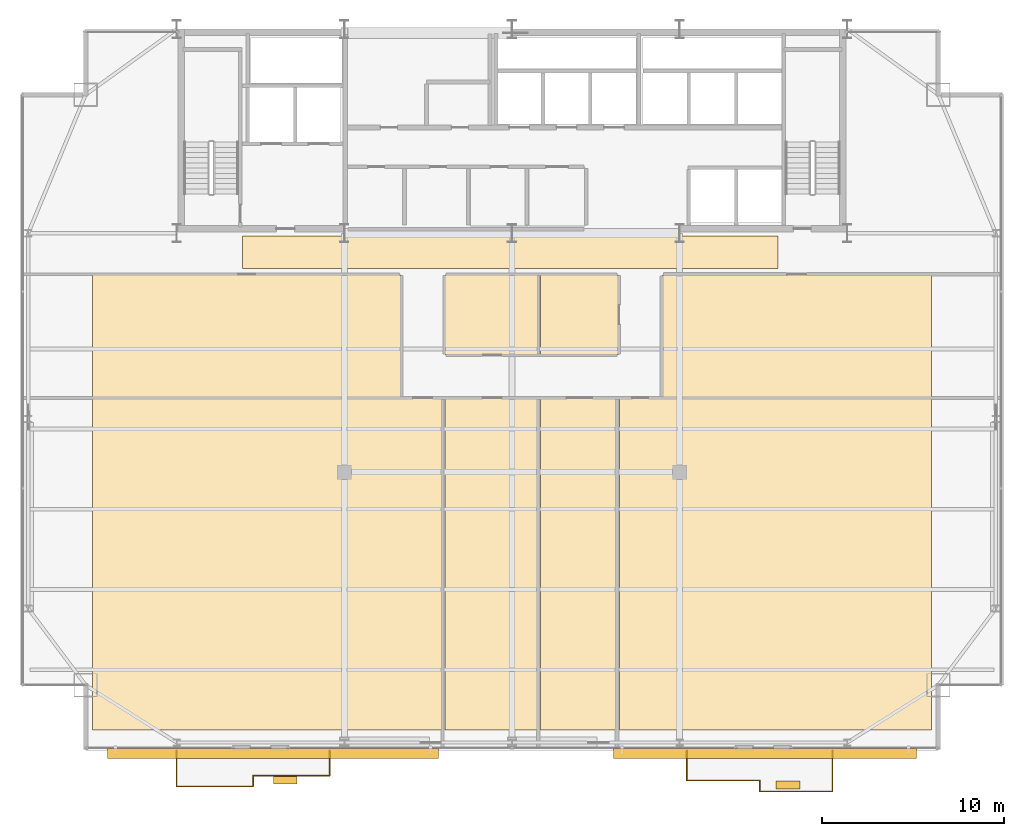
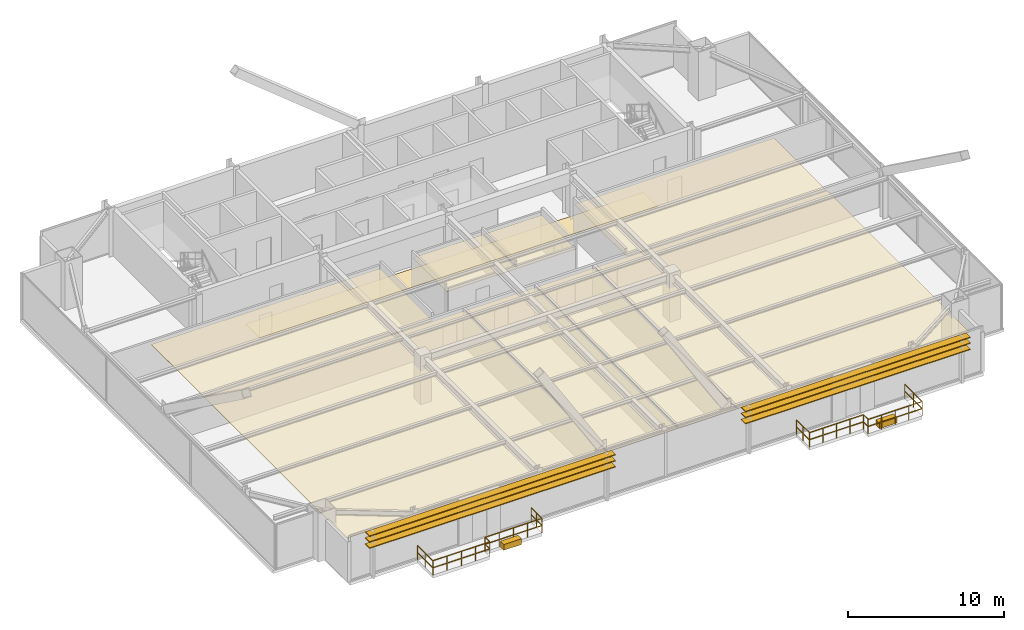
# One storey, part 31 of 32: 11 coverings, 10 railings, 6 shading devices.
"""IFC4 building model written with IfcOpenShell, lengths in metres."""

import ifcopenshell
import ifcopenshell.guid

model = None  # the IFC model being written
_history = None  # IfcOwnerHistory: only IFC2X3 demands one
_inside = {}  # id of a spatial element -> (the spatial element, [elements in it])
_under = {}  # id of a project, library or spatial element -> (it, [spatial elements below it])
_declared = {}  # id of a project -> (the project, [libraries it declares])
_typed = {}  # id of a type object -> (the type object, [elements of that type])
_made_of = {}  # id of a material, layer set ... -> (it, [elements and type objects made of it])


def new_model(schema):
    """Start an empty IFC model of exactly this schema.

    Asked for "IFC4X3", IfcOpenShell would pick the latest addendum, in which some entities
    have other attributes; the version numbers below select the first issue.
    IFC2X3 requires an IfcOwnerHistory on every rooted entity: one is made here for all.
    """
    global model, _history
    if schema == "IFC4X3":
        model = ifcopenshell.file(schema_version=(4, 3, 0, 0))
    else:
        model = ifcopenshell.file(schema=schema)
    _inside.clear()
    _under.clear()
    _declared.clear()
    _typed.clear()
    _made_of.clear()
    _history = None
    if model.schema == "IFC2X3":
        org = make("IfcOrganization", Name="unknown")
        user = make(
            "IfcPersonAndOrganization",
            ThePerson=make("IfcPerson", FamilyName="unknown"),
            TheOrganization=org,
        )
        app = make(
            "IfcApplication",
            ApplicationDeveloper=org,
            Version="unknown",
            ApplicationFullName="unknown",
            ApplicationIdentifier="unknown",
        )
        _history = make(
            "IfcOwnerHistory",
            OwningUser=user,
            OwningApplication=app,
            ChangeAction="ADDED",
            CreationDate=0,
        )
    return model


def make(cls, **values):
    """One entity of the class cls with the attributes given. An attribute that is None is left unset."""
    return model.create_entity(
        cls, **{name: value for name, value in values.items() if value is not None}
    )


def rooted(cls, **values):
    """An entity with a GlobalId (a new one), such as an element, a storey or a relation."""
    return make(cls, GlobalId=ifcopenshell.guid.new(), OwnerHistory=_history, **values)


def si_unit(unit_type, name, prefix=None):
    """IfcSIUnit, for example si_unit("LENGTHUNIT", "METRE", prefix="MILLI")."""
    return make("IfcSIUnit", UnitType=unit_type, Prefix=prefix, Name=name)


def assignment(units):
    """IfcUnitAssignment: the units of a project."""
    return None if units is None else make("IfcUnitAssignment", Units=units)


def point(xyz):
    """IfcCartesianPoint."""
    return None if xyz is None else make("IfcCartesianPoint", Coordinates=xyz)


def direction(xyz):
    """IfcDirection."""
    return None if xyz is None else make("IfcDirection", DirectionRatios=xyz)


def frame(location, z_axis=None, x_axis=None):
    """IfcAxis2Placement3D, a coordinate frame: its origin and axes. An axis left out is left unset."""
    return make(
        "IfcAxis2Placement3D",
        Location=point(location),
        Axis=direction(z_axis),
        RefDirection=direction(x_axis),
    )


def frame_2d(location, x_axis=None):
    """IfcAxis2Placement2D, a coordinate frame in the plane: its origin and x axis."""
    return make(
        "IfcAxis2Placement2D", Location=point(location), RefDirection=direction(x_axis)
    )


def origin():
    """The frame at (0, 0, 0) with its axes left unset."""
    return frame((0.0, 0.0, 0.0))


def origin_2d():
    """The frame at (0, 0) in the plane with its x axis left unset."""
    return frame_2d((0.0, 0.0))


def place(relative_to, where):
    """IfcLocalPlacement: puts the frame where relative to a parent placement (None: the world)."""
    return make(
        "IfcLocalPlacement", PlacementRelTo=relative_to, RelativePlacement=where
    )


def context(
    kind, dimensions, precision=None, world=None, true_north=None, identifier=None
):
    """IfcGeometricRepresentationContext, for example the 3D "Model" context."""
    return make(
        "IfcGeometricRepresentationContext",
        ContextIdentifier=identifier,
        ContextType=kind,
        CoordinateSpaceDimension=dimensions,
        Precision=precision,
        WorldCoordinateSystem=world,
        TrueNorth=true_north,
    )


def subcontext(parent, identifier, kind, view, scale=None):
    """IfcGeometricRepresentationSubContext, for example "Body" below "Model"."""
    return make(
        "IfcGeometricRepresentationSubContext",
        ContextIdentifier=identifier,
        ContextType=kind,
        ParentContext=parent,
        TargetScale=scale,
        TargetView=view,
    )


def project(units=None, contexts=None):
    """IfcProject with its units and contexts."""
    return rooted(
        "IfcProject",
        Name="project",
        RepresentationContexts=contexts,
        UnitsInContext=assignment(units),
    )


def spatial(cls, under=None, at=None, **own):
    """A site, building, storey or space (cls), placed at a placement, below another one or the project."""
    s = rooted(cls, ObjectPlacement=at, **own)
    if under is not None:
        _under.setdefault(under.id(), (under, []))[1].append(s)
    return s


def polyline(points):
    """IfcPolyline through the points."""
    return make("IfcPolyline", Points=[point(p) for p in points])


def profile(cls, at=None, kind="AREA", **sizes):
    """A parametric profile (cls). Its sizes go by their IFC names, for example OverallWidth=200.0."""
    return make(cls, ProfileType=kind, Position=at, **sizes)


def rectangle(**sizes):
    """IfcRectangleProfileDef."""
    return profile("IfcRectangleProfileDef", **sizes)


def outline(outer, holes=None, kind="AREA"):
    """IfcArbitraryClosedProfileDef: a profile drawn as a closed curve; with holes, ...WithVoids."""
    if holes is None:
        return make("IfcArbitraryClosedProfileDef", ProfileType=kind, OuterCurve=outer)
    return make(
        "IfcArbitraryProfileDefWithVoids",
        ProfileType=kind,
        OuterCurve=outer,
        InnerCurves=holes,
    )


def extrude(swept, where, along, depth):
    """IfcExtrudedAreaSolid: the profile swept, set in the frame where, extruded along a direction by depth."""
    return make(
        "IfcExtrudedAreaSolid",
        SweptArea=swept,
        Position=where,
        ExtrudedDirection=direction(along),
        Depth=depth,
    )


def shape(context_of_items, identifier, shape_type, items):
    """IfcShapeRepresentation: the items that make up one representation, for example the "Body"."""
    return make(
        "IfcShapeRepresentation",
        ContextOfItems=context_of_items,
        RepresentationIdentifier=identifier,
        RepresentationType=shape_type,
        Items=items,
    )


def source(mapping_origin, context_of_items, identifier, shape_type, items):
    """IfcRepresentationMap: a shape defined once, which mapped items show again and again."""
    return make(
        "IfcRepresentationMap",
        MappingOrigin=mapping_origin,
        MappedRepresentation=shape(context_of_items, identifier, shape_type, items),
    )


def transform(
    local_origin,
    x_axis=None,
    y_axis=None,
    z_axis=None,
    scale=None,
    scale2=None,
    scale3=None,
    uniform=True,
):
    """IfcCartesianTransformationOperator3D, or its non-uniform kind. x_axis, y_axis, z_axis: its Axis1, 2, 3."""
    if uniform:
        return make(
            "IfcCartesianTransformationOperator3D",
            Axis1=direction(x_axis),
            Axis2=direction(y_axis),
            LocalOrigin=point(local_origin),
            Scale=scale,
            Axis3=direction(z_axis),
        )
    return make(
        "IfcCartesianTransformationOperator3DnonUniform",
        Axis1=direction(x_axis),
        Axis2=direction(y_axis),
        LocalOrigin=point(local_origin),
        Scale=scale,
        Axis3=direction(z_axis),
        Scale2=scale2,
        Scale3=scale3,
    )


def mapped(mapping_source, mapping_target):
    """IfcMappedItem: shows the shape of a source again, moved by a transform."""
    return make(
        "IfcMappedItem", MappingSource=mapping_source, MappingTarget=mapping_target
    )


def material(Name=None, Category=None):
    """IfcMaterial."""
    return make("IfcMaterial", Name=Name, Category=Category)


def layer(
    of_material, thickness, ventilated=None, Name=None, Category=None, Priority=None
):
    """IfcMaterialLayer: one layer of a wall or slab, of a material (None: an air gap)."""
    return make(
        "IfcMaterialLayer",
        Material=of_material,
        LayerThickness=thickness,
        IsVentilated=ventilated,
        Name=Name,
        Category=Category,
        Priority=Priority,
    )


def layer_set(layers, Name=None):
    """IfcMaterialLayerSet."""
    return make("IfcMaterialLayerSet", MaterialLayers=layers, LayerSetName=Name)


def made_of(thing, what):
    """Note that an element or type object is made of a material, layer set ...; save() writes the relation."""
    if what is not None:
        _made_of.setdefault(what.id(), (what, []))[1].append(thing)
    return thing


def type_object(cls, material=None, **own):
    """A type object (cls), such as IfcWallType, which elements share."""
    return made_of(rooted(cls, **own), material)


def type_shapes(of_type, sources):
    """Give a type object the sources (RepresentationMaps) that its elements show as mapped items."""
    of_type.RepresentationMaps = sources


def element(
    cls,
    number,
    at=None,
    inside=None,
    cuts=None,
    type_object=None,
    material=None,
    context=None,
    identifier="Body",
    shape_type=None,
    held_by="IfcProductDefinitionShape",
    body=None,
    shapes=None,
    **own,
):
    """One element of the class cls, such as IfcWall. Its Tag is "e" and its number.

    at: its placement. inside: the storey or other place that contains it. cuts: it is an
    opening in that element (IfcRelVoidsElement). A single representation is given by context,
    identifier, shape_type and body (its items); several are given by shapes. held_by: the class
    of the entity that holds the representations. save() writes the other relations.
    """
    e = rooted(cls, Tag="e%d" % number, ObjectPlacement=at, **own)
    if body is not None:
        shapes = [shape(context, identifier, shape_type, body)]
    if shapes is not None:
        e.Representation = make(held_by, Representations=shapes)
    if inside is not None:
        _inside.setdefault(inside.id(), (inside, []))[1].append(e)
    if cuts is not None:
        rooted(
            "IfcRelVoidsElement", RelatingBuildingElement=cuts, RelatedOpeningElement=e
        )
    if type_object is not None:
        _typed.setdefault(type_object.id(), (type_object, []))[1].append(e)
    return made_of(e, material)


def aggregate(whole, parts):
    """IfcRelAggregates: a whole, such as a stair, and the parts it consists of."""
    return rooted("IfcRelAggregates", RelatingObject=whole, RelatedObjects=parts)


def save(model, path):
    """Write the relations noted so far, then the file.

    IfcRelAggregates (storeys below a building ...), IfcRelContainedInSpatialStructure (elements
    in a storey), IfcRelDefinesByType, IfcRelAssociatesMaterial and IfcRelDeclares: one each for
    every whole, place, type object, material and project.
    """
    for whole, parts in _under.values():
        aggregate(whole, parts)
    for where, things in _inside.values():
        rooted(
            "IfcRelContainedInSpatialStructure",
            RelatedElements=things,
            RelatingStructure=where,
        )
    for kind, things in _typed.values():
        rooted("IfcRelDefinesByType", RelatedObjects=things, RelatingType=kind)
    for what, things in _made_of.values():
        rooted("IfcRelAssociatesMaterial", RelatedObjects=things, RelatingMaterial=what)
    for by, libraries in _declared.values():
        rooted("IfcRelDeclares", RelatingContext=by, RelatedDefinitions=libraries)
    model.write(path)


model = new_model("IFC4")

# Units and contexts
model_context = context("Model", 3, precision=1e-05, world=origin(), true_north=direction((0.0, 1.0)))
body_context = subcontext(model_context, "Body", "Model", "MODEL_VIEW")
ifc_project = project(units=[si_unit("LENGTHUNIT", "METRE"), si_unit("AREAUNIT", "SQUARE_METRE"), si_unit("VOLUMEUNIT", "CUBIC_METRE"), si_unit("PLANEANGLEUNIT", "RADIAN"), si_unit("MASSUNIT", "GRAM", prefix="KILO")], contexts=[model_context])

# Site, building, storey
site_placement = place(None, origin())
site = spatial("IfcSite", under=ifc_project, at=site_placement, CompositionType="ELEMENT")
building_placement = place(site_placement, origin())
building = spatial("IfcBuilding", under=site, at=building_placement, Name="Varnel Quay Broadcast Tower", CompositionType="ELEMENT")
storey_placement = place(building_placement, frame((0.0, 0.0, 164.800048828125)))
storey = spatial("IfcBuildingStorey", under=building, at=storey_placement, Name="L40", CompositionType="ELEMENT", Elevation=164.800048828125)

# Coverings
ifc_material_1 = material(Name="Micro-Perforated Acoustic Ceiling Tile")
ifc_layer_1 = layer(ifc_material_1, 0.0400390625, Name="Micro-Perforated Acoustic Ceiling Tile")
ifc_layer_set_1 = layer_set([ifc_layer_1], Name="Micro-Perforated Acoustic Ceiling Tile")
covering_type_1 = type_object("IfcCoveringType", Name="Cov_AcousticCeiling", PredefinedType="CEILING", material=ifc_layer_set_1)
covering_1_placement = place(storey_placement, frame((0.0, 0.0, 2.579833984375)))
element("IfcCovering", 1, at=covering_1_placement, inside=storey, type_object=covering_type_1, Name="L40 Press Briefing Room 1 Acoustic Ceiling", PredefinedType="CEILING", context=body_context, shape_type="SweptSolid", body=[
    extrude(outline(polyline([(10.985107421875, 8.324951171875), (30.2451171875, 8.324951171875), (30.2451171875, 26.52490234375), (10.985107421875, 26.52490234375), (10.985107421875, 8.324951171875)])), origin(), (0.0, 0.0, 1.0), 0.0400390625),
])
covering_2_placement = place(storey_placement, frame((0.0, 0.0, 2.579833984375)))
element("IfcCovering", 2, at=covering_2_placement, inside=storey, type_object=covering_type_1, Name="L40 Editorial Huddle Room 2 Acoustic Ceiling", PredefinedType="CEILING", context=body_context, shape_type="SweptSolid", body=[
    extrude(outline(polyline([(30.31494140625, 8.324951171875), (35.5048828125, 8.324951171875), (35.5048828125, 26.52490234375), (30.31494140625, 26.52490234375), (30.31494140625, 8.324951171875)])), origin(), (0.0, 0.0, 1.0), 0.0400390625),
])
covering_3_placement = place(storey_placement, frame((0.0, 0.0, 2.579833984375)))
element("IfcCovering", 3, at=covering_3_placement, inside=storey, type_object=covering_type_1, Name="L40 Journalism Training Studio 3 Acoustic Ceiling", PredefinedType="CEILING", context=body_context, shape_type="SweptSolid", body=[
    extrude(outline(polyline([(35.574951171875, 8.324951171875), (39.8349609375, 8.324951171875), (39.8349609375, 26.52490234375), (35.574951171875, 26.52490234375), (35.574951171875, 8.324951171875)])), origin(), (0.0, 0.0, 1.0), 0.0400390625),
])
covering_4_placement = place(storey_placement, frame((0.0, 0.0, 2.579833984375)))
element("IfcCovering", 4, at=covering_4_placement, inside=storey, type_object=covering_type_1, Name="L40 Catering Kitchen 4 Acoustic Ceiling", PredefinedType="CEILING", context=body_context, shape_type="SweptSolid", body=[
    extrude(outline(polyline([(39.905029296875, 8.324951171875), (57.014892578125, 8.324951171875), (57.014892578125, 26.52490234375), (39.905029296875, 26.52490234375), (39.905029296875, 8.324951171875)])), origin(), (0.0, 0.0, 1.0), 0.0400390625),
])
covering_5_placement = place(storey_placement, frame((0.0, 0.0, 2.579833984375)))
element("IfcCovering", 5, at=covering_5_placement, inside=storey, type_object=covering_type_1, Name="L40 Bureau Office 5 Acoustic Ceiling", PredefinedType="CEILING", context=body_context, shape_type="SweptSolid", body=[
    extrude(outline(polyline([(10.985107421875, 26.594970703125), (27.89501953125, 26.594970703125), (27.89501953125, 33.31494140625), (10.985107421875, 33.31494140625), (10.985107421875, 26.594970703125)])), origin(), (0.0, 0.0, 1.0), 0.0400390625),
])
covering_6_placement = place(storey_placement, frame((0.0, 0.0, 2.579833984375)))
element("IfcCovering", 6, at=covering_6_placement, inside=storey, type_object=covering_type_1, Name="L40 Reading Lounge 6 Acoustic Ceiling", PredefinedType="CEILING", context=body_context, shape_type="SweptSolid", body=[
    extrude(outline(polyline([(30.31494140625, 28.945068359375), (35.5048828125, 28.945068359375), (35.5048828125, 33.31494140625), (30.31494140625, 33.31494140625), (30.31494140625, 28.945068359375)])), origin(), (0.0, 0.0, 1.0), 0.0400390625),
])
covering_7_placement = place(storey_placement, frame((0.0, 0.0, 2.579833984375)))
element("IfcCovering", 7, at=covering_7_placement, inside=storey, type_object=covering_type_1, Name="L40 Broadcast Seminar Room 7 Acoustic Ceiling", PredefinedType="CEILING", context=body_context, shape_type="SweptSolid", body=[
    extrude(outline(polyline([(35.574951171875, 28.945068359375), (39.8349609375, 28.945068359375), (39.8349609375, 33.31494140625), (35.574951171875, 33.31494140625), (35.574951171875, 28.945068359375)])), origin(), (0.0, 0.0, 1.0), 0.0400390625),
])
covering_8_placement = place(storey_placement, frame((0.0, 0.0, 2.579833984375)))
element("IfcCovering", 8, at=covering_8_placement, inside=storey, type_object=covering_type_1, Name="L40 Press Briefing Room 8 Acoustic Ceiling", PredefinedType="CEILING", context=body_context, shape_type="SweptSolid", body=[
    extrude(outline(polyline([(42.2548828125, 26.594970703125), (57.014892578125, 26.594970703125), (57.014892578125, 33.31494140625), (42.2548828125, 33.31494140625), (42.2548828125, 26.594970703125)])), origin(), (0.0, 0.0, 1.0), 0.0400390625),
])
ifc_material_2 = material(Name="Polished Terrazzo & Broadcast Raised Flooring")
ifc_layer_2 = layer(ifc_material_2, 0.0400390625, Name="Polished Terrazzo & Broadcast Raised Flooring")
ifc_layer_set_2 = layer_set([ifc_layer_2], Name="Polished Terrazzo & Broadcast Raised Flooring")
covering_type_2 = type_object("IfcCoveringType", Name="Cov_TerrazzoFloor", PredefinedType="FLOORING", material=ifc_layer_set_2)
covering_9_placement = place(storey_placement, origin())
element("IfcCovering", 9, at=covering_9_placement, inside=storey, type_object=covering_type_2, Name="L40 Corridor Terrazzo Flooring", PredefinedType="FLOORING", context=body_context, shape_type="SweptSolid", body=[
    extrude(outline(polyline([(19.199951171875, 33.64990234375), (48.60009765625, 33.64990234375), (48.60009765625, 35.449951171875), (19.199951171875, 35.449951171875), (19.199951171875, 33.64990234375)])), origin(), (0.0, 0.0, 1.0), 0.0400390625),
])

# Railings
ifc_material_3 = material(Name="Anodised Bronze Aluminium 6063-T6", Category="aluminium")
railing_type = type_object("IfcRailingType", Name="Rail_Balustrade1150", PredefinedType="BALUSTRADE", material=ifc_material_3)
railing_1_placement = place(storey_placement, frame((15.590087890625, 5.236083984375, 0.0)))
element("IfcRailing", 10, at=railing_1_placement, inside=storey, type_object=railing_type, Name="L40 Terrace 1 Guard 1", PredefinedType="BALUSTRADE", context=body_context, shape_type="SweptSolid", body=[
    extrude(rectangle(XDim=0.048095703125, YDim=0.048095703125, at=origin_2d()), frame((0.0, 0.0, 1.1259765625), z_axis=(1.0, 0.0, 0.0), x_axis=(0.0, 1.0, 0.0)), (0.0, 0.0, 1.0), 4.199951171875),
    extrude(rectangle(XDim=0.048095703125, YDim=0.048095703125, at=origin_2d()), frame((0.0, 0.0, 0.574951171875), z_axis=(1.0, 0.0, 0.0), x_axis=(0.0, 1.0, 0.0)), (0.0, 0.0, 1.0), 4.199951171875),
    extrude(rectangle(XDim=0.0419921875, YDim=0.0419921875, at=origin_2d()), origin(), (0.0, 0.0, 1.0), 1.101806640625),
    extrude(rectangle(XDim=0.0419921875, YDim=0.0419921875, at=origin_2d()), frame((1.050048828125, 0.0, 0.0)), (0.0, 0.0, 1.0), 1.101806640625),
    extrude(rectangle(XDim=0.0419921875, YDim=0.0419921875, at=origin_2d()), frame((2.10009765625, 0.0, 0.0)), (0.0, 0.0, 1.0), 1.101806640625),
    extrude(rectangle(XDim=0.0419921875, YDim=0.0419921875, at=origin_2d()), frame((3.14990234375, 0.0, 0.0)), (0.0, 0.0, 1.0), 1.101806640625),
    extrude(rectangle(XDim=0.0419921875, YDim=0.0419921875, at=origin_2d()), frame((4.199951171875, 0.0, 0.0)), (0.0, 0.0, 1.0), 1.101806640625),
])
railing_2_placement = place(storey_placement, frame((19.7900390625, 5.236083984375, 0.0)))
element("IfcRailing", 11, at=railing_2_placement, inside=storey, type_object=railing_type, Name="L40 Terrace 1 Guard 2", PredefinedType="BALUSTRADE", context=body_context, shape_type="SweptSolid", body=[
    extrude(rectangle(XDim=0.048095703125, YDim=0.048095703125, at=origin_2d()), frame((0.0, 0.0, 1.1259765625), z_axis=(0.0, 1.0, 0.0), x_axis=(-1.0, 0.0, 0.0)), (0.0, 0.0, 1.0), 0.599853515625),
    extrude(rectangle(XDim=0.048095703125, YDim=0.048095703125, at=origin_2d()), frame((0.0, 0.0, 0.574951171875), z_axis=(0.0, 1.0, 0.0), x_axis=(-1.0, 0.0, 0.0)), (0.0, 0.0, 1.0), 0.599853515625),
    extrude(rectangle(XDim=0.0419921875, YDim=0.0419921875, at=origin_2d()), origin(), (0.0, 0.0, 1.0), 1.101806640625),
    extrude(rectangle(XDim=0.0419921875, YDim=0.0419921875, at=origin_2d()), frame((0.0, 0.599853515625, 0.0)), (0.0, 0.0, 1.0), 1.101806640625),
])
railing_3_placement = place(storey_placement, frame((19.7900390625, 5.8359375, 0.0)))
element("IfcRailing", 12, at=railing_3_placement, inside=storey, type_object=railing_type, Name="L40 Terrace 1 Guard 3", PredefinedType="BALUSTRADE", context=body_context, shape_type="SweptSolid", body=[
    extrude(rectangle(XDim=0.048095703125, YDim=0.048095703125, at=origin_2d()), frame((0.0, 0.0, 1.1259765625), z_axis=(1.0, 0.0, 0.0), x_axis=(0.0, 1.0, 0.0)), (0.0, 0.0, 1.0), 4.199951171875),
    extrude(rectangle(XDim=0.048095703125, YDim=0.048095703125, at=origin_2d()), frame((0.0, 0.0, 0.574951171875), z_axis=(1.0, 0.0, 0.0), x_axis=(0.0, 1.0, 0.0)), (0.0, 0.0, 1.0), 4.199951171875),
    extrude(rectangle(XDim=0.0419921875, YDim=0.0419921875, at=origin_2d()), origin(), (0.0, 0.0, 1.0), 1.101806640625),
    extrude(rectangle(XDim=0.0419921875, YDim=0.0419921875, at=origin_2d()), frame((1.050048828125, 0.0, 0.0)), (0.0, 0.0, 1.0), 1.101806640625),
    extrude(rectangle(XDim=0.0419921875, YDim=0.0419921875, at=origin_2d()), frame((2.10009765625, 0.0, 0.0)), (0.0, 0.0, 1.0), 1.101806640625),
    extrude(rectangle(XDim=0.0419921875, YDim=0.0419921875, at=origin_2d()), frame((3.14990234375, 0.0, 0.0)), (0.0, 0.0, 1.0), 1.101806640625),
    extrude(rectangle(XDim=0.0419921875, YDim=0.0419921875, at=origin_2d()), frame((4.199951171875, 0.0, 0.0)), (0.0, 0.0, 1.0), 1.101806640625),
])
railing_4_placement = place(storey_placement, frame((23.989990234375, 5.8359375, 0.0)))
element("IfcRailing", 13, at=railing_4_placement, inside=storey, type_object=railing_type, Name="L40 Terrace 1 Guard 4", PredefinedType="BALUSTRADE", context=body_context, shape_type="SweptSolid", body=[
    extrude(rectangle(XDim=0.048095703125, YDim=0.048095703125, at=origin_2d()), frame((0.0, 0.0, 1.1259765625), z_axis=(0.0, 1.0, 0.0), x_axis=(-1.0, 0.0, 0.0)), (0.0, 0.0, 1.0), 1.364013671875),
    extrude(rectangle(XDim=0.048095703125, YDim=0.048095703125, at=origin_2d()), frame((0.0, 0.0, 0.574951171875), z_axis=(0.0, 1.0, 0.0), x_axis=(-1.0, 0.0, 0.0)), (0.0, 0.0, 1.0), 1.364013671875),
    extrude(rectangle(XDim=0.0419921875, YDim=0.0419921875, at=origin_2d()), origin(), (0.0, 0.0, 1.0), 1.101806640625),
    extrude(rectangle(XDim=0.0419921875, YDim=0.0419921875, at=origin_2d()), frame((0.0, 0.68212890625, 0.0)), (0.0, 0.0, 1.0), 1.101806640625),
    extrude(rectangle(XDim=0.0419921875, YDim=0.0419921875, at=origin_2d()), frame((0.0, 1.364013671875, 0.0)), (0.0, 0.0, 1.0), 1.101806640625),
])
railing_5_placement = place(storey_placement, frame((15.590087890625, 7.199951171875, 0.0)))
element("IfcRailing", 14, at=railing_5_placement, inside=storey, type_object=railing_type, Name="L40 Terrace 1 Guard 6", PredefinedType="BALUSTRADE", context=body_context, shape_type="SweptSolid", body=[
    extrude(rectangle(XDim=0.048095703125, YDim=0.048095703125, at=origin_2d()), frame((0.0, 0.0, 1.1259765625), z_axis=(0.0, -1.0, 0.0), x_axis=(1.0, 0.0, 0.0)), (0.0, 0.0, 1.0), 1.9638671875),
    extrude(rectangle(XDim=0.048095703125, YDim=0.048095703125, at=origin_2d()), frame((0.0, 0.0, 0.574951171875), z_axis=(0.0, -1.0, 0.0), x_axis=(1.0, 0.0, 0.0)), (0.0, 0.0, 1.0), 1.9638671875),
    extrude(rectangle(XDim=0.0419921875, YDim=0.0419921875, at=origin_2d()), origin(), (0.0, 0.0, 1.0), 1.101806640625),
    extrude(rectangle(XDim=0.0419921875, YDim=0.0419921875, at=origin_2d()), frame((0.0, -0.98193359375, 0.0)), (0.0, 0.0, 1.0), 1.101806640625),
    extrude(rectangle(XDim=0.0419921875, YDim=0.0419921875, at=origin_2d()), frame((0.0, -1.9638671875, 0.0)), (0.0, 0.0, 1.0), 1.101806640625),
])
railing_6_placement = place(storey_placement, frame((43.60009765625, 5.56396484375, 0.0)))
element("IfcRailing", 15, at=railing_6_placement, inside=storey, type_object=railing_type, Name="L40 Terrace 2 Guard 1", PredefinedType="BALUSTRADE", context=body_context, shape_type="SweptSolid", body=[
    extrude(rectangle(XDim=0.048095703125, YDim=0.048095703125, at=origin_2d()), frame((0.0, 0.0, 1.1259765625), z_axis=(1.0, 0.0, 0.0), x_axis=(0.0, 1.0, 0.0)), (0.0, 0.0, 1.0), 3.994873046875),
    extrude(rectangle(XDim=0.048095703125, YDim=0.048095703125, at=origin_2d()), frame((0.0, 0.0, 0.574951171875), z_axis=(1.0, 0.0, 0.0), x_axis=(0.0, 1.0, 0.0)), (0.0, 0.0, 1.0), 3.994873046875),
    extrude(rectangle(XDim=0.0419921875, YDim=0.0419921875, at=origin_2d()), origin(), (0.0, 0.0, 1.0), 1.101806640625),
    extrude(rectangle(XDim=0.0419921875, YDim=0.0419921875, at=origin_2d()), frame((0.998779296875, 0.0, 0.0)), (0.0, 0.0, 1.0), 1.101806640625),
    extrude(rectangle(XDim=0.0419921875, YDim=0.0419921875, at=origin_2d()), frame((1.99755859375, 0.0, 0.0)), (0.0, 0.0, 1.0), 1.101806640625),
    extrude(rectangle(XDim=0.0419921875, YDim=0.0419921875, at=origin_2d()), frame((2.99609375, 0.0, 0.0)), (0.0, 0.0, 1.0), 1.101806640625),
    extrude(rectangle(XDim=0.0419921875, YDim=0.0419921875, at=origin_2d()), frame((3.994873046875, 0.0, 0.0)), (0.0, 0.0, 1.0), 1.101806640625),
])
railing_7_placement = place(storey_placement, frame((47.594970703125, 5.56396484375, 0.0)))
element("IfcRailing", 16, at=railing_7_placement, inside=storey, type_object=railing_type, Name="L40 Terrace 2 Guard 2", PredefinedType="BALUSTRADE", context=body_context, shape_type="SweptSolid", body=[
    extrude(rectangle(XDim=0.048095703125, YDim=0.048095703125, at=origin_2d()), frame((0.0, 0.0, 1.1259765625), z_axis=(0.0, -1.0, 0.0), x_axis=(1.0, 0.0, 0.0)), (0.0, 0.0, 1.0), 0.599853515625),
    extrude(rectangle(XDim=0.048095703125, YDim=0.048095703125, at=origin_2d()), frame((0.0, 0.0, 0.574951171875), z_axis=(0.0, -1.0, 0.0), x_axis=(1.0, 0.0, 0.0)), (0.0, 0.0, 1.0), 0.599853515625),
    extrude(rectangle(XDim=0.0419921875, YDim=0.0419921875, at=origin_2d()), origin(), (0.0, 0.0, 1.0), 1.101806640625),
    extrude(rectangle(XDim=0.0419921875, YDim=0.0419921875, at=origin_2d()), frame((0.0, -0.599853515625, 0.0)), (0.0, 0.0, 1.0), 1.101806640625),
])
railing_8_placement = place(storey_placement, frame((47.594970703125, 4.964111328125, 0.0)))
element("IfcRailing", 17, at=railing_8_placement, inside=storey, type_object=railing_type, Name="L40 Terrace 2 Guard 3", PredefinedType="BALUSTRADE", context=body_context, shape_type="SweptSolid", body=[
    extrude(rectangle(XDim=0.048095703125, YDim=0.048095703125, at=origin_2d()), frame((0.0, 0.0, 1.1259765625), z_axis=(1.0, 0.0, 0.0), x_axis=(0.0, 1.0, 0.0)), (0.0, 0.0, 1.0), 3.9951171875),
    extrude(rectangle(XDim=0.048095703125, YDim=0.048095703125, at=origin_2d()), frame((0.0, 0.0, 0.574951171875), z_axis=(1.0, 0.0, 0.0), x_axis=(0.0, 1.0, 0.0)), (0.0, 0.0, 1.0), 3.9951171875),
    extrude(rectangle(XDim=0.0419921875, YDim=0.0419921875, at=origin_2d()), origin(), (0.0, 0.0, 1.0), 1.101806640625),
    extrude(rectangle(XDim=0.0419921875, YDim=0.0419921875, at=origin_2d()), frame((0.998779296875, 0.0, 0.0)), (0.0, 0.0, 1.0), 1.101806640625),
    extrude(rectangle(XDim=0.0419921875, YDim=0.0419921875, at=origin_2d()), frame((1.99755859375, 0.0, 0.0)), (0.0, 0.0, 1.0), 1.101806640625),
    extrude(rectangle(XDim=0.0419921875, YDim=0.0419921875, at=origin_2d()), frame((2.996337890625, 0.0, 0.0)), (0.0, 0.0, 1.0), 1.101806640625),
    extrude(rectangle(XDim=0.0419921875, YDim=0.0419921875, at=origin_2d()), frame((3.9951171875, 0.0, 0.0)), (0.0, 0.0, 1.0), 1.101806640625),
])
railing_9_placement = place(storey_placement, frame((51.590087890625, 4.964111328125, 0.0)))
element("IfcRailing", 18, at=railing_9_placement, inside=storey, type_object=railing_type, Name="L40 Terrace 2 Guard 4", PredefinedType="BALUSTRADE", context=body_context, shape_type="SweptSolid", body=[
    extrude(rectangle(XDim=0.048095703125, YDim=0.048095703125, at=origin_2d()), frame((0.0, 0.0, 1.1259765625), z_axis=(0.0, 1.0, 0.0), x_axis=(-1.0, 0.0, 0.0)), (0.0, 0.0, 1.0), 2.23583984375),
    extrude(rectangle(XDim=0.048095703125, YDim=0.048095703125, at=origin_2d()), frame((0.0, 0.0, 0.574951171875), z_axis=(0.0, 1.0, 0.0), x_axis=(-1.0, 0.0, 0.0)), (0.0, 0.0, 1.0), 2.23583984375),
    extrude(rectangle(XDim=0.0419921875, YDim=0.0419921875, at=origin_2d()), origin(), (0.0, 0.0, 1.0), 1.101806640625),
    extrude(rectangle(XDim=0.0419921875, YDim=0.0419921875, at=origin_2d()), frame((0.0, 1.117919921875, 0.0)), (0.0, 0.0, 1.0), 1.101806640625),
    extrude(rectangle(XDim=0.0419921875, YDim=0.0419921875, at=origin_2d()), frame((0.0, 2.23583984375, 0.0)), (0.0, 0.0, 1.0), 1.101806640625),
])
railing_10_placement = place(storey_placement, frame((43.60009765625, 7.199951171875, 0.0)))
element("IfcRailing", 19, at=railing_10_placement, inside=storey, type_object=railing_type, Name="L40 Terrace 2 Guard 6", PredefinedType="BALUSTRADE", context=body_context, shape_type="SweptSolid", body=[
    extrude(rectangle(XDim=0.048095703125, YDim=0.048095703125, at=origin_2d()), frame((0.0, 0.0, 1.1259765625), z_axis=(0.0, -1.0, 0.0), x_axis=(1.0, 0.0, 0.0)), (0.0, 0.0, 1.0), 1.635986328125),
    extrude(rectangle(XDim=0.048095703125, YDim=0.048095703125, at=origin_2d()), frame((0.0, 0.0, 0.574951171875), z_axis=(0.0, -1.0, 0.0), x_axis=(1.0, 0.0, 0.0)), (0.0, 0.0, 1.0), 1.635986328125),
    extrude(rectangle(XDim=0.0419921875, YDim=0.0419921875, at=origin_2d()), origin(), (0.0, 0.0, 1.0), 1.101806640625),
    extrude(rectangle(XDim=0.0419921875, YDim=0.0419921875, at=origin_2d()), frame((0.0, -0.81787109375, 0.0)), (0.0, 0.0, 1.0), 1.101806640625),
    extrude(rectangle(XDim=0.0419921875, YDim=0.0419921875, at=origin_2d()), frame((0.0, -1.635986328125, 0.0)), (0.0, 0.0, 1.0), 1.101806640625),
])

# Coverings
ifc_material_4 = material(Name="Bronze-Terracotta Extruded Ceramic Blade", Category="masonry")
ifc_layer_3 = layer(ifc_material_4, 0.449951171875, Name="Bronze-Terracotta Extruded Ceramic Blade")
ifc_layer_set_3 = layer_set([ifc_layer_3], Name="Bronze-Terracotta Extruded Ceramic Blade")
covering_type_3 = type_object("IfcCoveringType", Name="Cov_BronzePlanter", PredefinedType="CLADDING", material=ifc_layer_set_3)
shared_shape_1 = source(origin(), body_context, "Body", "SweptSolid", [
    extrude(rectangle(XDim=1.300048828125, YDim=0.449951171875, at=origin_2d()), origin(), (0.0, 0.0, 1.0), 0.449951171875),
])
type_shapes(covering_type_3, [shared_shape_1])
for number, where, z_axis, x_axis, name in (
    (20, (21.550048828125, 5.5859375, 0.0), (0.0, 0.0, 1.0), (1.0, 0.0, 0.0), "L40 Terrace 1 Bronze Planter"),
    (21, (49.14990234375, 5.31396484375, 0.0), (0.0, 0.0, 1.0), (1.0, 0.0, 0.0), "L40 Terrace 2 Bronze Planter"),
):
    element("IfcCovering", number, at=place(storey_placement, frame(where, z_axis=z_axis, x_axis=x_axis)), inside=storey, type_object=covering_type_3, Name=name, PredefinedType="CLADDING", context=body_context, shape_type="MappedRepresentation", body=[
        mapped(shared_shape_1, transform((0.0, 0.0, 0.0), x_axis=(1.0, 0.0, 0.0), y_axis=(0.0, 1.0, 0.0), z_axis=(0.0, 0.0, 1.0), scale=1.0)),
    ])

# Shading devices
ifc_layer_4 = layer(ifc_material_4, 0.06494140625, Name="Bronze-Terracotta Extruded Ceramic Blade")
ifc_layer_set_4 = layer_set([ifc_layer_4], Name="Bronze-Terracotta Extruded Ceramic Blade")
shading_device_type = type_object("IfcShadingDeviceType", Name="Shade_LouvreBlade550", PredefinedType="JALOUSIE", material=ifc_layer_set_4)
shared_shape_2 = source(origin(), body_context, "Body", "SweptSolid", [
    extrude(rectangle(XDim=18.178955078125, YDim=0.550048828125, at=origin_2d()), origin(), (0.0, 0.0, 1.0), 0.06494140625),
])
for number, where, z_axis, x_axis, name in (
    (22, (20.888916015625, 7.06005859375, 2.447509765625), (0.0, 0.0, 1.0), (1.0, 0.0, 0.0), "L40 Lobe 1 Horizontal Louvre Blade 1"),
    (23, (20.888916015625, 7.06005859375, 2.927490234375), (0.0, 0.0, 1.0), (1.0, 0.0, 0.0), "L40 Lobe 1 Horizontal Louvre Blade 2"),
    (24, (20.888916015625, 7.06005859375, 3.387451171875), (0.0, 0.0, 1.0), (1.0, 0.0, 0.0), "L40 Lobe 1 Horizontal Louvre Blade 3"),
):
    element("IfcShadingDevice", number, at=place(storey_placement, frame(where, z_axis=z_axis, x_axis=x_axis)), inside=storey, type_object=shading_device_type, Name=name, PredefinedType="JALOUSIE", context=body_context, shape_type="MappedRepresentation", body=[
        mapped(shared_shape_2, transform((0.0, 0.0, 0.0), x_axis=(1.0, 0.0, 0.0), y_axis=(0.0, 1.0, 0.0), z_axis=(0.0, 0.0, 1.0), scale=1.0)),
    ])
shared_shape_3 = source(origin(), body_context, "Body", "SweptSolid", [
    extrude(rectangle(XDim=16.62109375, YDim=0.550048828125, at=origin_2d()), origin(), (0.0, 0.0, 1.0), 0.06494140625),
])
type_shapes(shading_device_type, [shared_shape_2, shared_shape_3])
for number, where, z_axis, x_axis, name in (
    (25, (47.888916015625, 7.06005859375, 2.447509765625), (0.0, 0.0, 1.0), (1.0, 0.0, 0.0), "L40 Lobe 2 Horizontal Louvre Blade 1"),
    (26, (47.888916015625, 7.06005859375, 2.927490234375), (0.0, 0.0, 1.0), (1.0, 0.0, 0.0), "L40 Lobe 2 Horizontal Louvre Blade 2"),
    (27, (47.888916015625, 7.06005859375, 3.387451171875), (0.0, 0.0, 1.0), (1.0, 0.0, 0.0), "L40 Lobe 2 Horizontal Louvre Blade 3"),
):
    element("IfcShadingDevice", number, at=place(storey_placement, frame(where, z_axis=z_axis, x_axis=x_axis)), inside=storey, type_object=shading_device_type, Name=name, PredefinedType="JALOUSIE", context=body_context, shape_type="MappedRepresentation", body=[
        mapped(shared_shape_3, transform((0.0, 0.0, 0.0), x_axis=(1.0, 0.0, 0.0), y_axis=(0.0, 1.0, 0.0), z_axis=(0.0, 0.0, 1.0), scale=1.0)),
    ])

save(model, "model.ifc")
